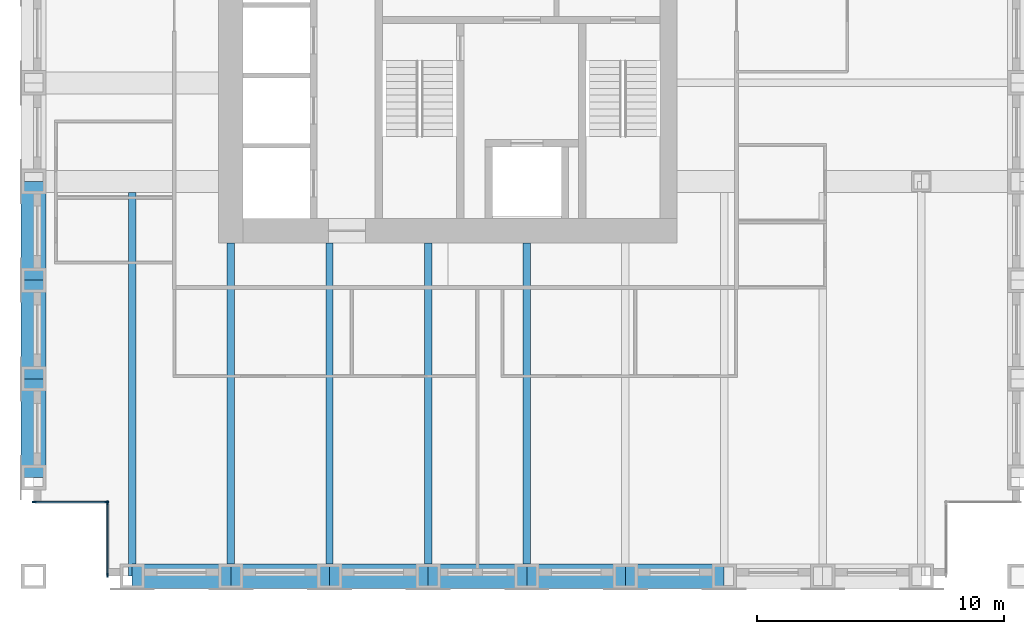
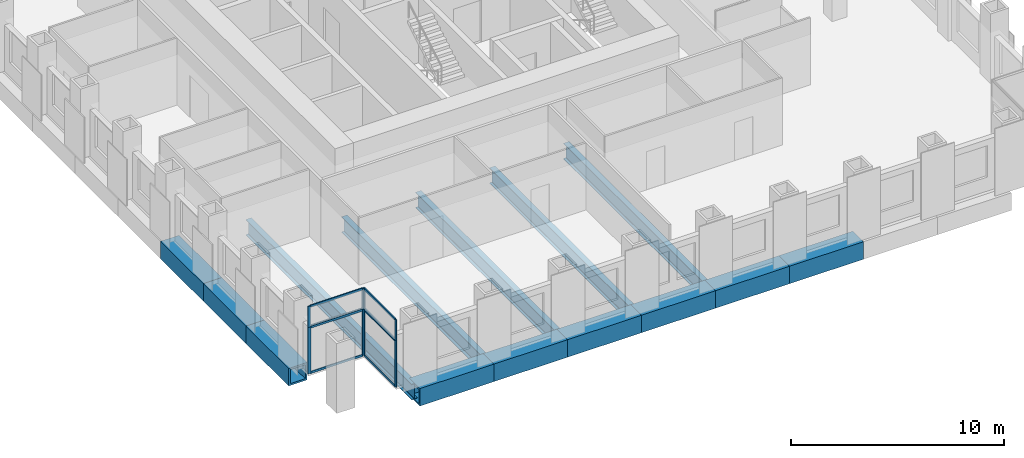
# One storey, part 2 of 12: 16 members, 14 beams, 4 elements without a shape of their own.
"""IFC4 building model written with IfcOpenShell, lengths in metres."""

from ifc_helpers import new_model, si_unit, direction, frame, origin, origin_2d, place, context, subcontext, project, spatial, rectangle, hollow_rectangle, i_section, extrude, material, material_profile, profile_set, type_object, element, aggregate, save


model = new_model("IFC4")

# Units and contexts
model_context = context("Model", 3, precision=1e-05, world=origin(), true_north=direction((0.0, 1.0)))
body_context = subcontext(model_context, "Body", "Model", "MODEL_VIEW")
ifc_project = project(units=[si_unit("LENGTHUNIT", "METRE"), si_unit("AREAUNIT", "SQUARE_METRE"), si_unit("VOLUMEUNIT", "CUBIC_METRE"), si_unit("PLANEANGLEUNIT", "RADIAN"), si_unit("MASSUNIT", "GRAM", prefix="KILO")], contexts=[model_context])

# Site, building, storey
site_placement = place(None, origin())
site = spatial("IfcSite", under=ifc_project, at=site_placement, CompositionType="ELEMENT")
building_placement = place(site_placement, origin())
building = spatial("IfcBuilding", under=site, at=building_placement, Name="Rimbunsela Tower", CompositionType="ELEMENT")
storey_placement = place(building_placement, frame((0.0, 0.0, 266.199951171875)))
storey = spatial("IfcBuildingStorey", under=building, at=storey_placement, Name="L64", CompositionType="ELEMENT", Elevation=266.199951171875)

# Beams
ifc_material_1 = material(Name="Steel BJ 55 (fy 410 MPa)", Category="steel")
ifc_material_profile_1 = material_profile(ifc_material_1, hollow_rectangle(XDim=1.0, YDim=1.0, WallThickness=0.10009765625, at=origin_2d()), Name="BOX 1000x1000x100")
ifc_profile_set_1 = profile_set([ifc_material_profile_1], Name="Steel BJ 55 (fy 410 MPa)")
beam_type_1 = type_object("IfcBeamType", Name="Beam BOX 1000x1000x100", PredefinedType="BEAM", material=ifc_profile_set_1)
for number, where, z_axis, x_axis, name in (
    (1, (10.0, 8.0, -0.64990234375), (0.0, 1.0, 0.0), (-1.0, 0.0, 0.0), "Beam B3 L64"),
    (2, (10.0, 12.0, -0.64990234375), (0.0, 1.0, 0.0), (-1.0, 0.0, 0.0), "Beam B3 L64"),
    (3, (10.0, 16.0, -0.64990234375), (0.0, 1.0, 0.0), (-1.0, 0.0, 0.0), "Beam B3 L64"),
    (4, (14.0, 4.0, -0.64990234375), (1.0, 0.0, 0.0), (0.0, 1.0, 0.0), "Beam B3 L64"),
    (5, (18.0, 4.0, -0.64990234375), (1.0, 0.0, 0.0), (0.0, 1.0, 0.0), "Beam B3 L64"),
    (6, (22.0, 4.0, -0.64990234375), (1.0, 0.0, 0.0), (0.0, 1.0, 0.0), "Beam B3 L64"),
    (7, (26.0, 4.0, -0.64990234375), (1.0, 0.0, 0.0), (0.0, 1.0, 0.0), "Beam B3 L64"),
    (8, (30.0, 4.0, -0.64990234375), (1.0, 0.0, 0.0), (0.0, 1.0, 0.0), "Beam B3 L64"),
    (9, (34.0, 4.0, -0.64990234375), (1.0, 0.0, 0.0), (0.0, 1.0, 0.0), "Beam B3 L64"),
):
    element("IfcBeam", number, at=place(storey_placement, frame(where, z_axis=z_axis, x_axis=x_axis)), inside=storey, type_object=beam_type_1, Name=name, PredefinedType="BEAM", context=body_context, shape_type="SweptSolid", body=[
        extrude(hollow_rectangle(XDim=1.0, YDim=1.0, WallThickness=0.10009765625, at=origin_2d()), origin(), (0.0, 0.0, 1.0), 4.0),
    ])
ifc_material_2 = material(Name="Steel BJ 55 (fy 410 MPa)", Category="steel")
ifc_material_profile_2 = material_profile(ifc_material_2, i_section(OverallWidth=0.300048828125, OverallDepth=0.89990234375, WebThickness=0.01611328125, FlangeThickness=0.028076171875, FilletRadius=0.028076171875, at=origin_2d()), Name="H 900x300x16x28")
ifc_profile_set_2 = profile_set([ifc_material_profile_2], Name="Steel BJ 55 (fy 410 MPa)")
beam_type_2 = type_object("IfcBeamType", Name="Beam H 900x300x16x28", PredefinedType="BEAM", material=ifc_profile_set_2)
beam_placement = place(storey_placement, frame((14.0, 4.0, -0.599853515625), z_axis=(0.0, 1.0, 0.0), x_axis=(-1.0, 0.0, 0.0)))
element("IfcBeam", 10, at=beam_placement, inside=storey, type_object=beam_type_2, Name="Beam B2 L64", PredefinedType="BEAM", context=body_context, shape_type="SweptSolid", body=[
    extrude(i_section(OverallWidth=0.300048828125, OverallDepth=0.89990234375, WebThickness=0.01611328125, FlangeThickness=0.028076171875, FilletRadius=0.028076171875, at=origin_2d()), origin(), (0.0, 0.0, 1.0), 15.550048828125),
])
for number, where, z_axis, x_axis, name in (
    (11, (18.0, 4.0, -0.599853515625), (0.0, 1.0, 0.0), (-1.0, 0.0, 0.0), "Beam B2 L64"),
    (12, (22.0, 4.0, -0.599853515625), (0.0, 1.0, 0.0), (-1.0, 0.0, 0.0), "Beam B2 L64"),
    (13, (26.0, 4.0, -0.599853515625), (0.0, 1.0, 0.0), (-1.0, 0.0, 0.0), "Beam B2 L64"),
    (14, (30.0, 4.0, -0.599853515625), (0.0, 1.0, 0.0), (-1.0, 0.0, 0.0), "Beam B2 L64"),
):
    element("IfcBeam", number, at=place(storey_placement, frame(where, z_axis=z_axis, x_axis=x_axis)), inside=storey, type_object=beam_type_2, Name=name, PredefinedType="BEAM", context=body_context, shape_type="SweptSolid", body=[
        extrude(i_section(OverallWidth=0.300048828125, OverallDepth=0.89990234375, WebThickness=0.01611328125, FlangeThickness=0.028076171875, FilletRadius=0.028076171875, at=origin_2d()), origin(), (0.0, 0.0, 1.0), 13.5),
    ])

# Curtain wall, members
ifc_material_3 = material(Name="Aluminium curtain wall", Category="aluminium")
curtain_wall_type_1 = type_object("IfcCurtainWallType", Name="Corner glazing", PredefinedType="USERDEFINED", material=ifc_material_3)
curtain_wall_1_placement = place(storey_placement, origin())
curtain_wall_1 = element("IfcCurtainWall", 15, at=curtain_wall_1_placement, inside=storey, type_object=curtain_wall_type_1, Name="Corner glazing L64", ObjectType="CORNER GLAZING", PredefinedType="USERDEFINED")
ifc_material_4 = material(Name="Aluminium mullion", Category="aluminium")
ifc_material_profile_3 = material_profile(ifc_material_4, rectangle(XDim=0.06005859375, YDim=0.159912109375, at=origin_2d()), Name="Mullion 60x160")
ifc_profile_set_3 = profile_set([ifc_material_profile_3], Name="Aluminium mullion")
member_type_1 = type_object("IfcMemberType", Name="Curtain wall mullion 60x160", PredefinedType="MULLION", material=ifc_profile_set_3)
member_1_placement = place(storey_placement, frame((10.030029296875, 7.0, 0.0), z_axis=(0.0, 0.0, 1.0), x_axis=(0.0, 1.0, 0.0)))
member_1 = element("IfcMember", 16, at=member_1_placement, type_object=member_type_1, Name="CW5 mullion 1", PredefinedType="MULLION", context=body_context, shape_type="SweptSolid", body=[
    extrude(rectangle(XDim=0.06005859375, YDim=0.159912109375, at=origin_2d()), origin(), (0.0, 0.0, 1.0), 2.650146484375),
])
member_2_placement = place(storey_placement, frame((12.969970703125, 7.0, 0.0), z_axis=(0.0, 0.0, 1.0), x_axis=(0.0, 1.0, 0.0)))
member_2 = element("IfcMember", 17, at=member_2_placement, type_object=member_type_1, Name="CW5 mullion 2", PredefinedType="MULLION", context=body_context, shape_type="SweptSolid", body=[
    extrude(rectangle(XDim=0.06005859375, YDim=0.159912109375, at=origin_2d()), origin(), (0.0, 0.0, 1.0), 2.650146484375),
])

ifc_material_5 = material(Name="Aluminium curtain wall", Category="aluminium")
curtain_wall_type_2 = type_object("IfcCurtainWallType", Name="Spandrel wall", PredefinedType="USERDEFINED", material=ifc_material_5)
curtain_wall_2_placement = place(storey_placement, origin())
curtain_wall_2 = element("IfcCurtainWall", 18, at=curtain_wall_2_placement, inside=storey, type_object=curtain_wall_type_2, Name="Spandrel wall L64", ObjectType="SPANDREL WALL", PredefinedType="USERDEFINED")
member_3_placement = place(storey_placement, frame((10.030029296875, 7.0, 2.650146484375), z_axis=(0.0, 0.0, 1.0), x_axis=(0.0, 1.0, 0.0)))
member_3 = element("IfcMember", 19, at=member_3_placement, type_object=member_type_1, Name="CW7 mullion 1", PredefinedType="MULLION", context=body_context, shape_type="SweptSolid", body=[
    extrude(rectangle(XDim=0.06005859375, YDim=0.159912109375, at=origin_2d()), origin(), (0.0, 0.0, 1.0), 1.199951171875),
])
member_4_placement = place(storey_placement, frame((12.969970703125, 7.0, 2.650146484375), z_axis=(0.0, 0.0, 1.0), x_axis=(0.0, 1.0, 0.0)))
member_4 = element("IfcMember", 20, at=member_4_placement, type_object=member_type_1, Name="CW7 mullion 2", PredefinedType="MULLION", context=body_context, shape_type="SweptSolid", body=[
    extrude(rectangle(XDim=0.06005859375, YDim=0.159912109375, at=origin_2d()), origin(), (0.0, 0.0, 1.0), 1.199951171875),
])

curtain_wall_3_placement = place(storey_placement, origin())
curtain_wall_3 = element("IfcCurtainWall", 21, at=curtain_wall_3_placement, inside=storey, type_object=curtain_wall_type_1, Name="Corner glazing L64", ObjectType="CORNER GLAZING", PredefinedType="USERDEFINED")
member_5_placement = place(storey_placement, frame((13.0, 6.969970703125, 0.0), z_axis=(0.0, 0.0, 1.0), x_axis=(1.0, 0.0, 0.0)))
member_5 = element("IfcMember", 22, at=member_5_placement, type_object=member_type_1, Name="CW5 mullion 1", PredefinedType="MULLION", context=body_context, shape_type="SweptSolid", body=[
    extrude(rectangle(XDim=0.06005859375, YDim=0.159912109375, at=origin_2d()), origin(), (0.0, 0.0, 1.0), 2.650146484375),
])
member_6_placement = place(storey_placement, frame((13.0, 4.030029296875, 0.0), z_axis=(0.0, 0.0, 1.0), x_axis=(1.0, 0.0, 0.0)))
member_6 = element("IfcMember", 23, at=member_6_placement, type_object=member_type_1, Name="CW5 mullion 2", PredefinedType="MULLION", context=body_context, shape_type="SweptSolid", body=[
    extrude(rectangle(XDim=0.06005859375, YDim=0.159912109375, at=origin_2d()), origin(), (0.0, 0.0, 1.0), 2.650146484375),
])

curtain_wall_4_placement = place(storey_placement, origin())
curtain_wall_4 = element("IfcCurtainWall", 24, at=curtain_wall_4_placement, inside=storey, type_object=curtain_wall_type_2, Name="Spandrel wall L64", ObjectType="SPANDREL WALL", PredefinedType="USERDEFINED")
member_7_placement = place(storey_placement, frame((13.0, 6.969970703125, 2.650146484375), z_axis=(0.0, 0.0, 1.0), x_axis=(1.0, 0.0, 0.0)))
member_7 = element("IfcMember", 25, at=member_7_placement, type_object=member_type_1, Name="CW7 mullion 1", PredefinedType="MULLION", context=body_context, shape_type="SweptSolid", body=[
    extrude(rectangle(XDim=0.06005859375, YDim=0.159912109375, at=origin_2d()), origin(), (0.0, 0.0, 1.0), 1.199951171875),
])
member_8_placement = place(storey_placement, frame((13.0, 4.030029296875, 2.650146484375), z_axis=(0.0, 0.0, 1.0), x_axis=(1.0, 0.0, 0.0)))
member_8 = element("IfcMember", 26, at=member_8_placement, type_object=member_type_1, Name="CW7 mullion 2", PredefinedType="MULLION", context=body_context, shape_type="SweptSolid", body=[
    extrude(rectangle(XDim=0.06005859375, YDim=0.159912109375, at=origin_2d()), origin(), (0.0, 0.0, 1.0), 1.199951171875),
])

# Member
ifc_material_6 = material(Name="Aluminium transom", Category="aluminium")
ifc_material_profile_4 = material_profile(ifc_material_6, rectangle(XDim=0.06005859375, YDim=0.1201171875, at=origin_2d()), Name="Transom 60x120")
ifc_profile_set_4 = profile_set([ifc_material_profile_4], Name="Aluminium transom")
member_type_2 = type_object("IfcMemberType", Name="Curtain wall transom 60x120", PredefinedType="USERDEFINED", material=ifc_profile_set_4)
member_9_placement = place(storey_placement, frame((10.06005859375, 7.0, 0.030029296875), z_axis=(1.0, 0.0, 0.0), x_axis=(0.0, 1.0, 0.0)))
member_9 = element("IfcMember", 27, at=member_9_placement, type_object=member_type_2, Name="CW5 transom 1.1", ObjectType="TRANSOM", PredefinedType="USERDEFINED", context=body_context, shape_type="SweptSolid", body=[
    extrude(rectangle(XDim=0.06005859375, YDim=0.1201171875, at=origin_2d()), origin(), (0.0, 0.0, 1.0), 2.8798828125),
])

member_10_placement = place(storey_placement, frame((10.06005859375, 7.0, 2.6201171875), z_axis=(1.0, 0.0, 0.0), x_axis=(0.0, 1.0, 0.0)))
member_10 = element("IfcMember", 28, at=member_10_placement, type_object=member_type_2, Name="CW5 transom 1.2", ObjectType="TRANSOM", PredefinedType="USERDEFINED", context=body_context, shape_type="SweptSolid", body=[
    extrude(rectangle(XDim=0.06005859375, YDim=0.1201171875, at=origin_2d()), origin(), (0.0, 0.0, 1.0), 2.8798828125),
])

aggregate(curtain_wall_1, [member_1, member_2, member_9, member_10])

member_11_placement = place(storey_placement, frame((10.06005859375, 7.0, 2.679931640625), z_axis=(1.0, 0.0, 0.0), x_axis=(0.0, 1.0, 0.0)))
member_11 = element("IfcMember", 29, at=member_11_placement, type_object=member_type_2, Name="CW7 transom 1.1", ObjectType="TRANSOM", PredefinedType="USERDEFINED", context=body_context, shape_type="SweptSolid", body=[
    extrude(rectangle(XDim=0.06005859375, YDim=0.1201171875, at=origin_2d()), origin(), (0.0, 0.0, 1.0), 2.8798828125),
])

member_12_placement = place(storey_placement, frame((10.06005859375, 7.0, 3.820068359375), z_axis=(1.0, 0.0, 0.0), x_axis=(0.0, 1.0, 0.0)))
member_12 = element("IfcMember", 30, at=member_12_placement, type_object=member_type_2, Name="CW7 transom 1.2", ObjectType="TRANSOM", PredefinedType="USERDEFINED", context=body_context, shape_type="SweptSolid", body=[
    extrude(rectangle(XDim=0.06005859375, YDim=0.1201171875, at=origin_2d()), origin(), (0.0, 0.0, 1.0), 2.8798828125),
])

aggregate(curtain_wall_2, [member_3, member_4, member_11, member_12])

member_13_placement = place(storey_placement, frame((13.0, 6.93994140625, 0.030029296875), z_axis=(0.0, -1.0, 0.0), x_axis=(1.0, 0.0, 0.0)))
member_13 = element("IfcMember", 31, at=member_13_placement, type_object=member_type_2, Name="CW5 transom 1.1", ObjectType="TRANSOM", PredefinedType="USERDEFINED", context=body_context, shape_type="SweptSolid", body=[
    extrude(rectangle(XDim=0.06005859375, YDim=0.1201171875, at=origin_2d()), origin(), (0.0, 0.0, 1.0), 2.8798828125),
])

member_14_placement = place(storey_placement, frame((13.0, 6.93994140625, 2.6201171875), z_axis=(0.0, -1.0, 0.0), x_axis=(1.0, 0.0, 0.0)))
member_14 = element("IfcMember", 32, at=member_14_placement, type_object=member_type_2, Name="CW5 transom 1.2", ObjectType="TRANSOM", PredefinedType="USERDEFINED", context=body_context, shape_type="SweptSolid", body=[
    extrude(rectangle(XDim=0.06005859375, YDim=0.1201171875, at=origin_2d()), origin(), (0.0, 0.0, 1.0), 2.8798828125),
])

aggregate(curtain_wall_3, [member_5, member_6, member_13, member_14])

member_15_placement = place(storey_placement, frame((13.0, 6.93994140625, 2.679931640625), z_axis=(0.0, -1.0, 0.0), x_axis=(1.0, 0.0, 0.0)))
member_15 = element("IfcMember", 33, at=member_15_placement, type_object=member_type_2, Name="CW7 transom 1.1", ObjectType="TRANSOM", PredefinedType="USERDEFINED", context=body_context, shape_type="SweptSolid", body=[
    extrude(rectangle(XDim=0.06005859375, YDim=0.1201171875, at=origin_2d()), origin(), (0.0, 0.0, 1.0), 2.8798828125),
])

member_16_placement = place(storey_placement, frame((13.0, 6.93994140625, 3.820068359375), z_axis=(0.0, -1.0, 0.0), x_axis=(1.0, 0.0, 0.0)))
member_16 = element("IfcMember", 34, at=member_16_placement, type_object=member_type_2, Name="CW7 transom 1.2", ObjectType="TRANSOM", PredefinedType="USERDEFINED", context=body_context, shape_type="SweptSolid", body=[
    extrude(rectangle(XDim=0.06005859375, YDim=0.1201171875, at=origin_2d()), origin(), (0.0, 0.0, 1.0), 2.8798828125),
])

aggregate(curtain_wall_4, [member_7, member_8, member_15, member_16])

save(model, "model.ifc")
